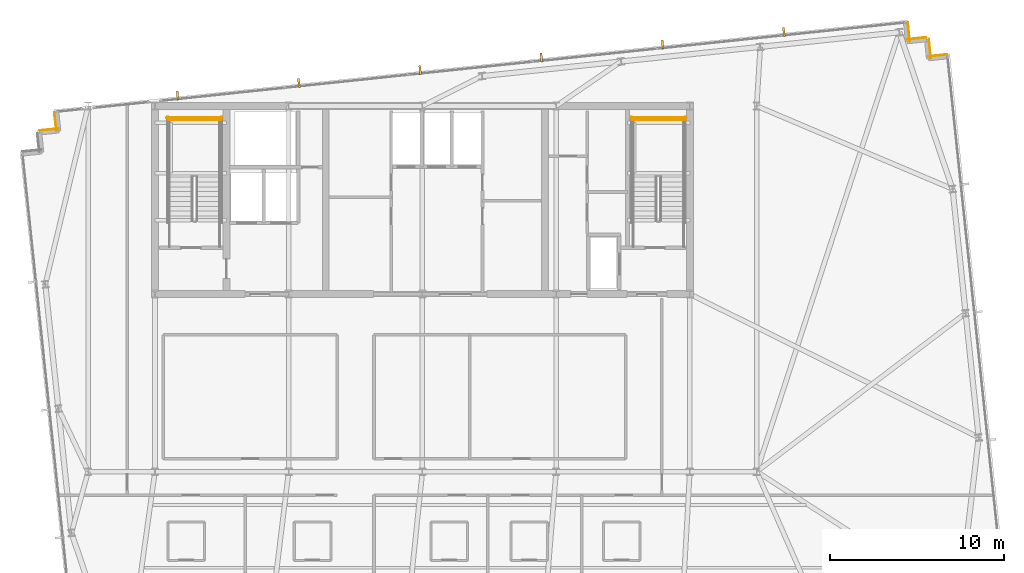
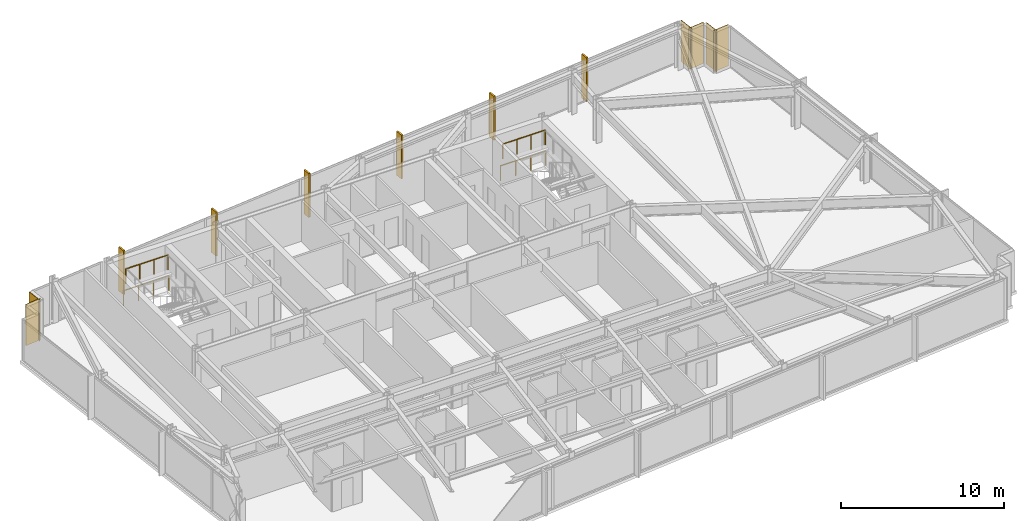
# One storey, part 33 of 33: 6 coverings, 6 shading devices, 4 railings.
"""IFC4 building model written with IfcOpenShell, lengths in metres."""

import ifcopenshell
import ifcopenshell.guid

model = None  # the IFC model being written
_history = None  # IfcOwnerHistory: only IFC2X3 demands one
_inside = {}  # id of a spatial element -> (the spatial element, [elements in it])
_under = {}  # id of a project, library or spatial element -> (it, [spatial elements below it])
_declared = {}  # id of a project -> (the project, [libraries it declares])
_typed = {}  # id of a type object -> (the type object, [elements of that type])
_made_of = {}  # id of a material, layer set ... -> (it, [elements and type objects made of it])


def new_model(schema):
    """Start an empty IFC model of exactly this schema.

    Asked for "IFC4X3", IfcOpenShell would pick the latest addendum, in which some entities
    have other attributes; the version numbers below select the first issue.
    IFC2X3 requires an IfcOwnerHistory on every rooted entity: one is made here for all.
    """
    global model, _history
    if schema == "IFC4X3":
        model = ifcopenshell.file(schema_version=(4, 3, 0, 0))
    else:
        model = ifcopenshell.file(schema=schema)
    _inside.clear()
    _under.clear()
    _declared.clear()
    _typed.clear()
    _made_of.clear()
    _history = None
    if model.schema == "IFC2X3":
        org = make("IfcOrganization", Name="unknown")
        user = make(
            "IfcPersonAndOrganization",
            ThePerson=make("IfcPerson", FamilyName="unknown"),
            TheOrganization=org,
        )
        app = make(
            "IfcApplication",
            ApplicationDeveloper=org,
            Version="unknown",
            ApplicationFullName="unknown",
            ApplicationIdentifier="unknown",
        )
        _history = make(
            "IfcOwnerHistory",
            OwningUser=user,
            OwningApplication=app,
            ChangeAction="ADDED",
            CreationDate=0,
        )
    return model


def make(cls, **values):
    """One entity of the class cls with the attributes given. An attribute that is None is left unset."""
    return model.create_entity(
        cls, **{name: value for name, value in values.items() if value is not None}
    )


def rooted(cls, **values):
    """An entity with a GlobalId (a new one), such as an element, a storey or a relation."""
    return make(cls, GlobalId=ifcopenshell.guid.new(), OwnerHistory=_history, **values)


def si_unit(unit_type, name, prefix=None):
    """IfcSIUnit, for example si_unit("LENGTHUNIT", "METRE", prefix="MILLI")."""
    return make("IfcSIUnit", UnitType=unit_type, Prefix=prefix, Name=name)


def assignment(units):
    """IfcUnitAssignment: the units of a project."""
    return None if units is None else make("IfcUnitAssignment", Units=units)


def point(xyz):
    """IfcCartesianPoint."""
    return None if xyz is None else make("IfcCartesianPoint", Coordinates=xyz)


def direction(xyz):
    """IfcDirection."""
    return None if xyz is None else make("IfcDirection", DirectionRatios=xyz)


def frame(location, z_axis=None, x_axis=None):
    """IfcAxis2Placement3D, a coordinate frame: its origin and axes. An axis left out is left unset."""
    return make(
        "IfcAxis2Placement3D",
        Location=point(location),
        Axis=direction(z_axis),
        RefDirection=direction(x_axis),
    )


def frame_2d(location, x_axis=None):
    """IfcAxis2Placement2D, a coordinate frame in the plane: its origin and x axis."""
    return make(
        "IfcAxis2Placement2D", Location=point(location), RefDirection=direction(x_axis)
    )


def origin():
    """The frame at (0, 0, 0) with its axes left unset."""
    return frame((0.0, 0.0, 0.0))


def origin_2d():
    """The frame at (0, 0) in the plane with its x axis left unset."""
    return frame_2d((0.0, 0.0))


def place(relative_to, where):
    """IfcLocalPlacement: puts the frame where relative to a parent placement (None: the world)."""
    return make(
        "IfcLocalPlacement", PlacementRelTo=relative_to, RelativePlacement=where
    )


def context(
    kind, dimensions, precision=None, world=None, true_north=None, identifier=None
):
    """IfcGeometricRepresentationContext, for example the 3D "Model" context."""
    return make(
        "IfcGeometricRepresentationContext",
        ContextIdentifier=identifier,
        ContextType=kind,
        CoordinateSpaceDimension=dimensions,
        Precision=precision,
        WorldCoordinateSystem=world,
        TrueNorth=true_north,
    )


def subcontext(parent, identifier, kind, view, scale=None):
    """IfcGeometricRepresentationSubContext, for example "Body" below "Model"."""
    return make(
        "IfcGeometricRepresentationSubContext",
        ContextIdentifier=identifier,
        ContextType=kind,
        ParentContext=parent,
        TargetScale=scale,
        TargetView=view,
    )


def project(units=None, contexts=None):
    """IfcProject with its units and contexts."""
    return rooted(
        "IfcProject",
        Name="project",
        RepresentationContexts=contexts,
        UnitsInContext=assignment(units),
    )


def spatial(cls, under=None, at=None, **own):
    """A site, building, storey or space (cls), placed at a placement, below another one or the project."""
    s = rooted(cls, ObjectPlacement=at, **own)
    if under is not None:
        _under.setdefault(under.id(), (under, []))[1].append(s)
    return s


def profile(cls, at=None, kind="AREA", **sizes):
    """A parametric profile (cls). Its sizes go by their IFC names, for example OverallWidth=200.0."""
    return make(cls, ProfileType=kind, Position=at, **sizes)


def rectangle(**sizes):
    """IfcRectangleProfileDef."""
    return profile("IfcRectangleProfileDef", **sizes)


def circle(**sizes):
    """IfcCircleProfileDef."""
    return profile("IfcCircleProfileDef", **sizes)


def extrude(swept, where, along, depth):
    """IfcExtrudedAreaSolid: the profile swept, set in the frame where, extruded along a direction by depth."""
    return make(
        "IfcExtrudedAreaSolid",
        SweptArea=swept,
        Position=where,
        ExtrudedDirection=direction(along),
        Depth=depth,
    )


def shape(context_of_items, identifier, shape_type, items):
    """IfcShapeRepresentation: the items that make up one representation, for example the "Body"."""
    return make(
        "IfcShapeRepresentation",
        ContextOfItems=context_of_items,
        RepresentationIdentifier=identifier,
        RepresentationType=shape_type,
        Items=items,
    )


def material(Name=None, Category=None):
    """IfcMaterial."""
    return make("IfcMaterial", Name=Name, Category=Category)


def layer(
    of_material, thickness, ventilated=None, Name=None, Category=None, Priority=None
):
    """IfcMaterialLayer: one layer of a wall or slab, of a material (None: an air gap)."""
    return make(
        "IfcMaterialLayer",
        Material=of_material,
        LayerThickness=thickness,
        IsVentilated=ventilated,
        Name=Name,
        Category=Category,
        Priority=Priority,
    )


def layer_set(layers, Name=None):
    """IfcMaterialLayerSet."""
    return make("IfcMaterialLayerSet", MaterialLayers=layers, LayerSetName=Name)


def made_of(thing, what):
    """Note that an element or type object is made of a material, layer set ...; save() writes the relation."""
    if what is not None:
        _made_of.setdefault(what.id(), (what, []))[1].append(thing)
    return thing


def type_object(cls, material=None, **own):
    """A type object (cls), such as IfcWallType, which elements share."""
    return made_of(rooted(cls, **own), material)


def element(
    cls,
    number,
    at=None,
    inside=None,
    cuts=None,
    type_object=None,
    material=None,
    context=None,
    identifier="Body",
    shape_type=None,
    held_by="IfcProductDefinitionShape",
    body=None,
    shapes=None,
    **own,
):
    """One element of the class cls, such as IfcWall. Its Tag is "e" and its number.

    at: its placement. inside: the storey or other place that contains it. cuts: it is an
    opening in that element (IfcRelVoidsElement). A single representation is given by context,
    identifier, shape_type and body (its items); several are given by shapes. held_by: the class
    of the entity that holds the representations. save() writes the other relations.
    """
    e = rooted(cls, Tag="e%d" % number, ObjectPlacement=at, **own)
    if body is not None:
        shapes = [shape(context, identifier, shape_type, body)]
    if shapes is not None:
        e.Representation = make(held_by, Representations=shapes)
    if inside is not None:
        _inside.setdefault(inside.id(), (inside, []))[1].append(e)
    if cuts is not None:
        rooted(
            "IfcRelVoidsElement", RelatingBuildingElement=cuts, RelatedOpeningElement=e
        )
    if type_object is not None:
        _typed.setdefault(type_object.id(), (type_object, []))[1].append(e)
    return made_of(e, material)


def aggregate(whole, parts):
    """IfcRelAggregates: a whole, such as a stair, and the parts it consists of."""
    return rooted("IfcRelAggregates", RelatingObject=whole, RelatedObjects=parts)


def save(model, path):
    """Write the relations noted so far, then the file.

    IfcRelAggregates (storeys below a building ...), IfcRelContainedInSpatialStructure (elements
    in a storey), IfcRelDefinesByType, IfcRelAssociatesMaterial and IfcRelDeclares: one each for
    every whole, place, type object, material and project.
    """
    for whole, parts in _under.values():
        aggregate(whole, parts)
    for where, things in _inside.values():
        rooted(
            "IfcRelContainedInSpatialStructure",
            RelatedElements=things,
            RelatingStructure=where,
        )
    for kind, things in _typed.values():
        rooted("IfcRelDefinesByType", RelatedObjects=things, RelatingType=kind)
    for what, things in _made_of.values():
        rooted("IfcRelAssociatesMaterial", RelatedObjects=things, RelatingMaterial=what)
    for by, libraries in _declared.values():
        rooted("IfcRelDeclares", RelatingContext=by, RelatedDefinitions=libraries)
    model.write(path)


model = new_model("IFC4")

# Units and contexts
model_context = context("Model", 3, precision=1e-05, world=origin(), true_north=direction((0.0, 1.0)))
body_context = subcontext(model_context, "Body", "Model", "MODEL_VIEW")
ifc_project = project(units=[si_unit("LENGTHUNIT", "METRE"), si_unit("AREAUNIT", "SQUARE_METRE"), si_unit("VOLUMEUNIT", "CUBIC_METRE"), si_unit("PLANEANGLEUNIT", "RADIAN"), si_unit("MASSUNIT", "GRAM", prefix="KILO")], contexts=[model_context])

# Site, building, storey
site_placement = place(None, origin())
site = spatial("IfcSite", under=ifc_project, at=site_placement, CompositionType="ELEMENT")
building_placement = place(site_placement, origin())
building = spatial("IfcBuilding", under=site, at=building_placement, Name="Yelkora Congress Tower", CompositionType="ELEMENT")
storey_placement = place(building_placement, frame((0.0, 0.0, 224.300048828125)))
storey = spatial("IfcBuildingStorey", under=building, at=storey_placement, Name="L62", CompositionType="ELEMENT", Elevation=224.300048828125)

# Coverings
ifc_material_1 = material(Name="Anatolian bush-hammered limestone", Category="masonry")
ifc_layer_1 = layer(ifc_material_1, 0.0400390625)
ifc_layer_set_1 = layer_set([ifc_layer_1], Name="Anatolian bush-hammered limestone")
covering_type = type_object("IfcCoveringType", Name="COV-CLAD-SPANDREL-40", PredefinedType="CLADDING", material=ifc_layer_set_1)
for number, where, z_axis, x_axis, name in (
    (1, (16.406005859375, 44.7880859375, 0.0), (0.0, 0.0, 1.0), (0.994544300928, 0.104315068386, 0.0), "L62 Anatolian Limestone Cladding EW-L62-SR08"),
    (2, (17.379638671875, 44.75439453125, 0.0), (0.0, 0.0, 1.0), (-0.104534592565, 0.994521251134, 0.0), "L62 Anatolian Limestone Cladding EW-L62-SR09"),
    (3, (66.284912109375, 51.000732421875, 0.0), (0.0, 0.0, 1.0), (0.104534592565, -0.994521251134, 0.0), "L62 Anatolian Limestone Cladding EW-L62-SR11"),
):
    element("IfcCovering", number, at=place(storey_placement, frame(where, z_axis=z_axis, x_axis=x_axis)), inside=storey, type_object=covering_type, Name=name, PredefinedType="CLADDING", context=body_context, shape_type="SweptSolid", body=[
        extrude(rectangle(XDim=1.10009765625, YDim=0.0400390625, at=frame_2d((0.550048828125, 0.0))), origin(), (0.0, 0.0, 1.0), 3.079833984375),
    ])
covering_placement = place(storey_placement, frame((66.25146484375, 50.02685546875, 0.0), z_axis=(0.0, 0.0, 1.0), x_axis=(0.994518825066, 0.104557671117, 0.0)))
element("IfcCovering", 4, at=covering_placement, inside=storey, type_object=covering_type, Name="L62 Anatolian Limestone Cladding EW-L62-SR12", PredefinedType="CLADDING", context=body_context, shape_type="SweptSolid", body=[
    extrude(rectangle(XDim=1.099853515625, YDim=0.0400390625, at=frame_2d((0.5498046875, 0.0))), origin(), (0.0, 0.0, 1.0), 3.079833984375),
])
for number, where, z_axis, x_axis, name in (
    (5, (67.49365234375, 50.021728515625, 0.0), (0.0, 0.0, 1.0), (0.104534592565, -0.994521251134, 0.0), "L62 Anatolian Limestone Cladding EW-L62-SR13"),
    (6, (67.460205078125, 49.0478515625, 0.0), (0.0, 0.0, 1.0), (0.994521251134, 0.104534592565, 0.0), "L62 Anatolian Limestone Cladding EW-L62-SR14"),
):
    element("IfcCovering", number, at=place(storey_placement, frame(where, z_axis=z_axis, x_axis=x_axis)), inside=storey, type_object=covering_type, Name=name, PredefinedType="CLADDING", context=body_context, shape_type="SweptSolid", body=[
        extrude(rectangle(XDim=1.10009765625, YDim=0.0400390625, at=frame_2d((0.550048828125, 0.0))), origin(), (0.0, 0.0, 1.0), 3.079833984375),
    ])

# Railings
ifc_material_2 = material(Name="Painted galvanised steel stair well guard with vertical infill", Category="steel")
ifc_layer_2 = layer(ifc_material_2, 0.06005859375)
ifc_layer_set_2 = layer_set([ifc_layer_2], Name="Painted galvanised steel stair well guard with vertical infill")
railing_type = type_object("IfcRailingType", Name="RAIL-STAIR-GUARD-1120", PredefinedType="GUARDRAIL", material=ifc_layer_set_2)
railing_1_placement = place(storey_placement, frame((26.820068359375, 45.419921875, 1.64990234375)))
element("IfcRailing", 7, at=railing_1_placement, inside=storey, type_object=railing_type, Name="ST-01 L62 Stair Well Guardrail 5", PredefinedType="GUARDRAIL", context=body_context, shape_type="SweptSolid", body=[
    extrude(circle(Radius=0.02392578125, at=origin_2d()), frame((0.0, 0.0, 1.09619140625), z_axis=(-1.0, 0.0, 0.0), x_axis=(0.0, -1.0, 0.0)), (0.0, 0.0, 1.0), 3.0),
    extrude(circle(Radius=0.02099609375, at=origin_2d()), origin(), (0.0, 0.0, 1.0), 1.072021484375),
    extrude(circle(Radius=0.02099609375, at=origin_2d()), frame((-1.0, 0.0, 0.0)), (0.0, 0.0, 1.0), 1.072021484375),
    extrude(circle(Radius=0.02099609375, at=origin_2d()), frame((-2.0, 0.0, 0.0)), (0.0, 0.0, 1.0), 1.072021484375),
    extrude(circle(Radius=0.02099609375, at=origin_2d()), frame((-3.0, 0.0, 0.0)), (0.0, 0.0, 1.0), 1.072021484375),
])
railing_2_placement = place(storey_placement, frame((26.919921875, 45.52001953125, 0.0)))
element("IfcRailing", 8, at=railing_2_placement, inside=storey, type_object=railing_type, Name="ST-01 L62 Stair Well Guardrail 12", PredefinedType="GUARDRAIL", context=body_context, shape_type="SweptSolid", body=[
    extrude(circle(Radius=0.02392578125, at=origin_2d()), frame((0.0, 0.0, 1.09619140625), z_axis=(-1.0, 0.0, 0.0), x_axis=(0.0, -1.0, 0.0)), (0.0, 0.0, 1.0), 3.199951171875),
    extrude(circle(Radius=0.02099609375, at=origin_2d()), origin(), (0.0, 0.0, 1.0), 1.072021484375),
    extrude(circle(Radius=0.02099609375, at=origin_2d()), frame((-1.066650390625, 0.0, 0.0)), (0.0, 0.0, 1.0), 1.072021484375),
    extrude(circle(Radius=0.02099609375, at=origin_2d()), frame((-2.13330078125, 0.0, 0.0)), (0.0, 0.0, 1.0), 1.072021484375),
    extrude(circle(Radius=0.02099609375, at=origin_2d()), frame((-3.199951171875, 0.0, 0.0)), (0.0, 0.0, 1.0), 1.072021484375),
])
railing_3_placement = place(storey_placement, frame((53.4599609375, 45.419921875, 1.64990234375)))
element("IfcRailing", 9, at=railing_3_placement, inside=storey, type_object=railing_type, Name="ST-02 L62 Stair Well Guardrail 5", PredefinedType="GUARDRAIL", context=body_context, shape_type="SweptSolid", body=[
    extrude(circle(Radius=0.02392578125, at=origin_2d()), frame((0.0, 0.0, 1.09619140625), z_axis=(-1.0, 0.0, 0.0), x_axis=(0.0, -1.0, 0.0)), (0.0, 0.0, 1.0), 3.0),
    extrude(circle(Radius=0.02099609375, at=origin_2d()), origin(), (0.0, 0.0, 1.0), 1.072021484375),
    extrude(circle(Radius=0.02099609375, at=origin_2d()), frame((-1.0, 0.0, 0.0)), (0.0, 0.0, 1.0), 1.072021484375),
    extrude(circle(Radius=0.02099609375, at=origin_2d()), frame((-2.0, 0.0, 0.0)), (0.0, 0.0, 1.0), 1.072021484375),
    extrude(circle(Radius=0.02099609375, at=origin_2d()), frame((-3.0, 0.0, 0.0)), (0.0, 0.0, 1.0), 1.072021484375),
])
railing_4_placement = place(storey_placement, frame((53.56005859375, 45.52001953125, 0.0)))
element("IfcRailing", 10, at=railing_4_placement, inside=storey, type_object=railing_type, Name="ST-02 L62 Stair Well Guardrail 12", PredefinedType="GUARDRAIL", context=body_context, shape_type="SweptSolid", body=[
    extrude(circle(Radius=0.02392578125, at=origin_2d()), frame((0.0, 0.0, 1.09619140625), z_axis=(-1.0, 0.0, 0.0), x_axis=(0.0, -1.0, 0.0)), (0.0, 0.0, 1.0), 3.199951171875),
    extrude(circle(Radius=0.02099609375, at=origin_2d()), origin(), (0.0, 0.0, 1.0), 1.072021484375),
    extrude(circle(Radius=0.02099609375, at=origin_2d()), frame((-1.066650390625, 0.0, 0.0)), (0.0, 0.0, 1.0), 1.072021484375),
    extrude(circle(Radius=0.02099609375, at=origin_2d()), frame((-2.13330078125, 0.0, 0.0)), (0.0, 0.0, 1.0), 1.072021484375),
    extrude(circle(Radius=0.02099609375, at=origin_2d()), frame((-3.199951171875, 0.0, 0.0)), (0.0, 0.0, 1.0), 1.072021484375),
])

# Shading devices
ifc_material_3 = material(Name="Champagne anodised aluminium", Category="aluminium")
ifc_layer_3 = layer(ifc_material_3, 3.300048828125)
ifc_layer_set_3 = layer_set([ifc_layer_3], Name="Champagne anodised aluminium")
shading_device_type = type_object("IfcShadingDeviceType", Name="SHD-FIN-ALU-520", PredefinedType="USERDEFINED", material=ifc_layer_set_3)
for number, where, z_axis, x_axis, name in (
    (11, (24.342529296875, 46.79345703125, -0.0302734375), (0.0, 0.0, 1.0), (0.994521895368, 0.104528463268, 0.0), "L62 Vertical Anodised Solar Fin 10-1"),
    (12, (31.30712890625, 47.525390625, -0.0302734375), (0.0, 0.0, 1.0), (0.994521895368, 0.104528463268, 0.0), "L62 Vertical Anodised Solar Fin 10-2"),
    (13, (38.271484375, 48.257568359375, -0.0302734375), (0.0, 0.0, 1.0), (0.994521895368, 0.104528463268, 0.0), "L62 Vertical Anodised Solar Fin 10-3"),
    (14, (45.236083984375, 48.989501953125, -0.0302734375), (0.0, 0.0, 1.0), (0.994521895368, 0.104528463268, 0.0), "L62 Vertical Anodised Solar Fin 10-4"),
    (15, (52.20068359375, 49.721435546875, -0.0302734375), (0.0, 0.0, 1.0), (0.994521895368, 0.104528463268, 0.0), "L62 Vertical Anodised Solar Fin 10-5"),
    (16, (59.1650390625, 50.45361328125, -0.0302734375), (0.0, 0.0, 1.0), (0.994521895368, 0.104528463268, 0.0), "L62 Vertical Anodised Solar Fin 10-6"),
):
    element("IfcShadingDevice", number, at=place(storey_placement, frame(where, z_axis=z_axis, x_axis=x_axis)), inside=storey, type_object=shading_device_type, Name=name, ObjectType="FIN", PredefinedType="USERDEFINED", context=body_context, shape_type="SweptSolid", body=[
        extrude(rectangle(XDim=0.1201171875, YDim=0.52001953125, at=origin_2d()), origin(), (0.0, 0.0, 1.0), 3.280029296875),
    ])

save(model, "model.ifc")
